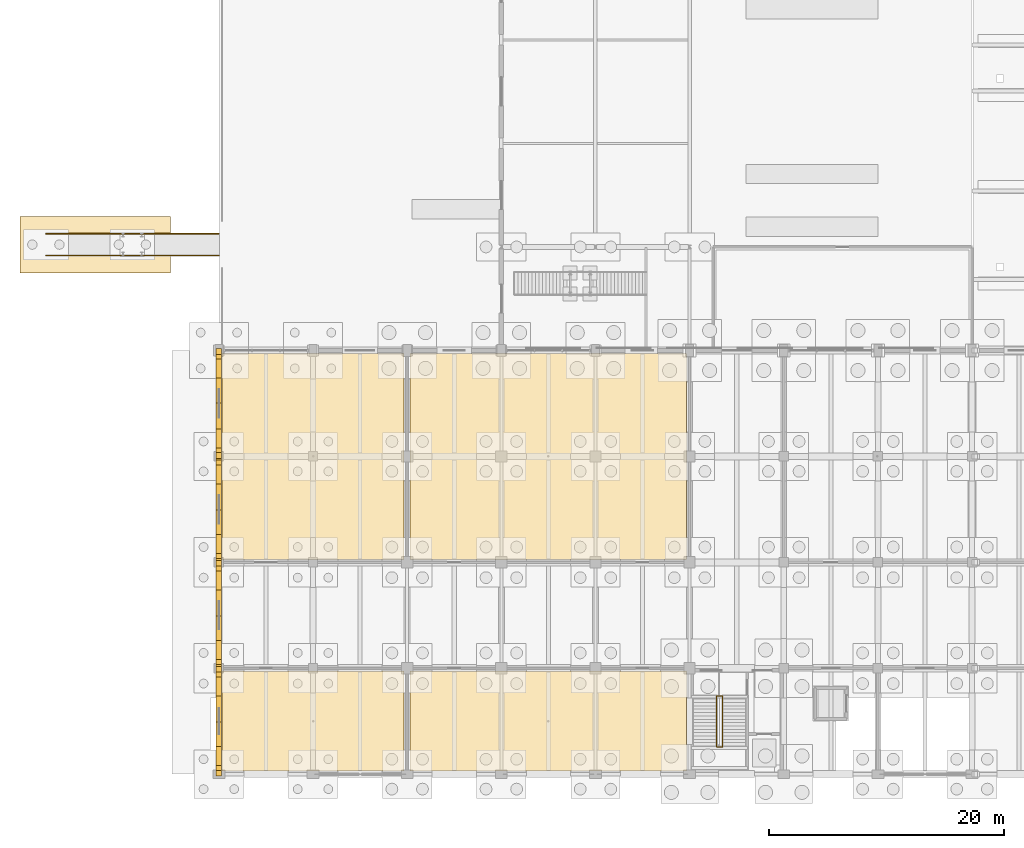
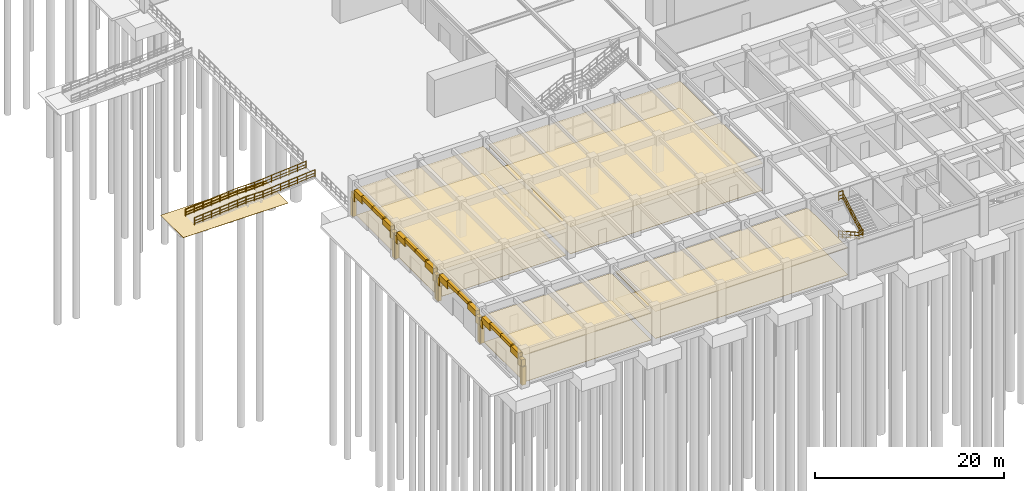
# One storey, part 134 of 147: 41 coverings, 6 railings.
"""IFC4 building model written with IfcOpenShell, lengths in metres."""

import ifcopenshell
import ifcopenshell.guid

model = None  # the IFC model being written
_history = None  # IfcOwnerHistory: only IFC2X3 demands one
_inside = {}  # id of a spatial element -> (the spatial element, [elements in it])
_under = {}  # id of a project, library or spatial element -> (it, [spatial elements below it])
_declared = {}  # id of a project -> (the project, [libraries it declares])
_typed = {}  # id of a type object -> (the type object, [elements of that type])
_made_of = {}  # id of a material, layer set ... -> (it, [elements and type objects made of it])


def new_model(schema):
    """Start an empty IFC model of exactly this schema.

    Asked for "IFC4X3", IfcOpenShell would pick the latest addendum, in which some entities
    have other attributes; the version numbers below select the first issue.
    IFC2X3 requires an IfcOwnerHistory on every rooted entity: one is made here for all.
    """
    global model, _history
    if schema == "IFC4X3":
        model = ifcopenshell.file(schema_version=(4, 3, 0, 0))
    else:
        model = ifcopenshell.file(schema=schema)
    _inside.clear()
    _under.clear()
    _declared.clear()
    _typed.clear()
    _made_of.clear()
    _history = None
    if model.schema == "IFC2X3":
        org = make("IfcOrganization", Name="unknown")
        user = make(
            "IfcPersonAndOrganization",
            ThePerson=make("IfcPerson", FamilyName="unknown"),
            TheOrganization=org,
        )
        app = make(
            "IfcApplication",
            ApplicationDeveloper=org,
            Version="unknown",
            ApplicationFullName="unknown",
            ApplicationIdentifier="unknown",
        )
        _history = make(
            "IfcOwnerHistory",
            OwningUser=user,
            OwningApplication=app,
            ChangeAction="ADDED",
            CreationDate=0,
        )
    return model


def make(cls, **values):
    """One entity of the class cls with the attributes given. An attribute that is None is left unset."""
    return model.create_entity(
        cls, **{name: value for name, value in values.items() if value is not None}
    )


def rooted(cls, **values):
    """An entity with a GlobalId (a new one), such as an element, a storey or a relation."""
    return make(cls, GlobalId=ifcopenshell.guid.new(), OwnerHistory=_history, **values)


def si_unit(unit_type, name, prefix=None):
    """IfcSIUnit, for example si_unit("LENGTHUNIT", "METRE", prefix="MILLI")."""
    return make("IfcSIUnit", UnitType=unit_type, Prefix=prefix, Name=name)


def assignment(units):
    """IfcUnitAssignment: the units of a project."""
    return None if units is None else make("IfcUnitAssignment", Units=units)


def point(xyz):
    """IfcCartesianPoint."""
    return None if xyz is None else make("IfcCartesianPoint", Coordinates=xyz)


def direction(xyz):
    """IfcDirection."""
    return None if xyz is None else make("IfcDirection", DirectionRatios=xyz)


def frame(location, z_axis=None, x_axis=None):
    """IfcAxis2Placement3D, a coordinate frame: its origin and axes. An axis left out is left unset."""
    return make(
        "IfcAxis2Placement3D",
        Location=point(location),
        Axis=direction(z_axis),
        RefDirection=direction(x_axis),
    )


def frame_2d(location, x_axis=None):
    """IfcAxis2Placement2D, a coordinate frame in the plane: its origin and x axis."""
    return make(
        "IfcAxis2Placement2D", Location=point(location), RefDirection=direction(x_axis)
    )


def origin():
    """The frame at (0, 0, 0) with its axes left unset."""
    return frame((0.0, 0.0, 0.0))


def origin_2d():
    """The frame at (0, 0) in the plane with its x axis left unset."""
    return frame_2d((0.0, 0.0))


def place(relative_to, where):
    """IfcLocalPlacement: puts the frame where relative to a parent placement (None: the world)."""
    return make(
        "IfcLocalPlacement", PlacementRelTo=relative_to, RelativePlacement=where
    )


def context(
    kind, dimensions, precision=None, world=None, true_north=None, identifier=None
):
    """IfcGeometricRepresentationContext, for example the 3D "Model" context."""
    return make(
        "IfcGeometricRepresentationContext",
        ContextIdentifier=identifier,
        ContextType=kind,
        CoordinateSpaceDimension=dimensions,
        Precision=precision,
        WorldCoordinateSystem=world,
        TrueNorth=true_north,
    )


def subcontext(parent, identifier, kind, view, scale=None):
    """IfcGeometricRepresentationSubContext, for example "Body" below "Model"."""
    return make(
        "IfcGeometricRepresentationSubContext",
        ContextIdentifier=identifier,
        ContextType=kind,
        ParentContext=parent,
        TargetScale=scale,
        TargetView=view,
    )


def project(units=None, contexts=None):
    """IfcProject with its units and contexts."""
    return rooted(
        "IfcProject",
        Name="project",
        RepresentationContexts=contexts,
        UnitsInContext=assignment(units),
    )


def spatial(cls, under=None, at=None, **own):
    """A site, building, storey or space (cls), placed at a placement, below another one or the project."""
    s = rooted(cls, ObjectPlacement=at, **own)
    if under is not None:
        _under.setdefault(under.id(), (under, []))[1].append(s)
    return s


def polyline(points):
    """IfcPolyline through the points."""
    return make("IfcPolyline", Points=[point(p) for p in points])


def profile(cls, at=None, kind="AREA", **sizes):
    """A parametric profile (cls). Its sizes go by their IFC names, for example OverallWidth=200.0."""
    return make(cls, ProfileType=kind, Position=at, **sizes)


def rectangle(**sizes):
    """IfcRectangleProfileDef."""
    return profile("IfcRectangleProfileDef", **sizes)


def circle(**sizes):
    """IfcCircleProfileDef."""
    return profile("IfcCircleProfileDef", **sizes)


def outline(outer, holes=None, kind="AREA"):
    """IfcArbitraryClosedProfileDef: a profile drawn as a closed curve; with holes, ...WithVoids."""
    if holes is None:
        return make("IfcArbitraryClosedProfileDef", ProfileType=kind, OuterCurve=outer)
    return make(
        "IfcArbitraryProfileDefWithVoids",
        ProfileType=kind,
        OuterCurve=outer,
        InnerCurves=holes,
    )


def extrude(swept, where, along, depth):
    """IfcExtrudedAreaSolid: the profile swept, set in the frame where, extruded along a direction by depth."""
    return make(
        "IfcExtrudedAreaSolid",
        SweptArea=swept,
        Position=where,
        ExtrudedDirection=direction(along),
        Depth=depth,
    )


def shape(context_of_items, identifier, shape_type, items):
    """IfcShapeRepresentation: the items that make up one representation, for example the "Body"."""
    return make(
        "IfcShapeRepresentation",
        ContextOfItems=context_of_items,
        RepresentationIdentifier=identifier,
        RepresentationType=shape_type,
        Items=items,
    )


def material(Name=None, Category=None):
    """IfcMaterial."""
    return make("IfcMaterial", Name=Name, Category=Category)


def layer(
    of_material, thickness, ventilated=None, Name=None, Category=None, Priority=None
):
    """IfcMaterialLayer: one layer of a wall or slab, of a material (None: an air gap)."""
    return make(
        "IfcMaterialLayer",
        Material=of_material,
        LayerThickness=thickness,
        IsVentilated=ventilated,
        Name=Name,
        Category=Category,
        Priority=Priority,
    )


def layer_set(layers, Name=None):
    """IfcMaterialLayerSet."""
    return make("IfcMaterialLayerSet", MaterialLayers=layers, LayerSetName=Name)


def made_of(thing, what):
    """Note that an element or type object is made of a material, layer set ...; save() writes the relation."""
    if what is not None:
        _made_of.setdefault(what.id(), (what, []))[1].append(thing)
    return thing


def type_object(cls, material=None, **own):
    """A type object (cls), such as IfcWallType, which elements share."""
    return made_of(rooted(cls, **own), material)


def element(
    cls,
    number,
    at=None,
    inside=None,
    cuts=None,
    type_object=None,
    material=None,
    context=None,
    identifier="Body",
    shape_type=None,
    held_by="IfcProductDefinitionShape",
    body=None,
    shapes=None,
    **own,
):
    """One element of the class cls, such as IfcWall. Its Tag is "e" and its number.

    at: its placement. inside: the storey or other place that contains it. cuts: it is an
    opening in that element (IfcRelVoidsElement). A single representation is given by context,
    identifier, shape_type and body (its items); several are given by shapes. held_by: the class
    of the entity that holds the representations. save() writes the other relations.
    """
    e = rooted(cls, Tag="e%d" % number, ObjectPlacement=at, **own)
    if body is not None:
        shapes = [shape(context, identifier, shape_type, body)]
    if shapes is not None:
        e.Representation = make(held_by, Representations=shapes)
    if inside is not None:
        _inside.setdefault(inside.id(), (inside, []))[1].append(e)
    if cuts is not None:
        rooted(
            "IfcRelVoidsElement", RelatingBuildingElement=cuts, RelatedOpeningElement=e
        )
    if type_object is not None:
        _typed.setdefault(type_object.id(), (type_object, []))[1].append(e)
    return made_of(e, material)


def aggregate(whole, parts):
    """IfcRelAggregates: a whole, such as a stair, and the parts it consists of."""
    return rooted("IfcRelAggregates", RelatingObject=whole, RelatedObjects=parts)


def save(model, path):
    """Write the relations noted so far, then the file.

    IfcRelAggregates (storeys below a building ...), IfcRelContainedInSpatialStructure (elements
    in a storey), IfcRelDefinesByType, IfcRelAssociatesMaterial and IfcRelDeclares: one each for
    every whole, place, type object, material and project.
    """
    for whole, parts in _under.values():
        aggregate(whole, parts)
    for where, things in _inside.values():
        rooted(
            "IfcRelContainedInSpatialStructure",
            RelatedElements=things,
            RelatingStructure=where,
        )
    for kind, things in _typed.values():
        rooted("IfcRelDefinesByType", RelatedObjects=things, RelatingType=kind)
    for what, things in _made_of.values():
        rooted("IfcRelAssociatesMaterial", RelatedObjects=things, RelatingMaterial=what)
    for by, libraries in _declared.values():
        rooted("IfcRelDeclares", RelatingContext=by, RelatedDefinitions=libraries)
    model.write(path)


model = new_model("IFC4")

# Units and contexts
model_context = context("Model", 3, precision=1e-05, world=origin(), true_north=direction((0.0, 1.0)))
body_context = subcontext(model_context, "Body", "Model", "MODEL_VIEW")
ifc_project = project(units=[si_unit("LENGTHUNIT", "METRE"), si_unit("AREAUNIT", "SQUARE_METRE"), si_unit("VOLUMEUNIT", "CUBIC_METRE"), si_unit("PLANEANGLEUNIT", "RADIAN"), si_unit("MASSUNIT", "GRAM", prefix="KILO")], contexts=[model_context])

# Site, building, storey
site_placement = place(None, origin())
site = spatial("IfcSite", under=ifc_project, at=site_placement, CompositionType="ELEMENT")
building_placement = place(site_placement, origin())
building = spatial("IfcBuilding", under=site, at=building_placement, Name="Varnabhumi Central Station", CompositionType="ELEMENT")
storey_placement = place(building_placement, origin())
storey = spatial("IfcBuildingStorey", under=building, at=storey_placement, Name="L00", CompositionType="ELEMENT", Elevation=0.0)

# Coverings
ifc_material_1 = material(Name="Mineral-fibre acoustic tile")
ifc_layer_1 = layer(ifc_material_1, 0.02490234375, Name="Mineral-fibre acoustic tile")
ifc_layer_set_1 = layer_set([ifc_layer_1], Name="Mineral-fibre acoustic tile")
covering_type_1 = type_object("IfcCoveringType", Name="COV-CEIL-ACOUSTIC", PredefinedType="CEILING", material=ifc_layer_set_1)
covering_1_placement = place(storey_placement, frame((0.0, 0.0, 3.469970703125)))
element("IfcCovering", 1, at=covering_1_placement, inside=storey, type_object=covering_type_1, Name="Forecourt Taxi and Bus Waiting Arcade Acoustic Ceiling", PredefinedType="CEILING", context=body_context, shape_type="SweptSolid", body=[
    extrude(outline(polyline([(0.25, 18.25), (15.75, 18.25), (15.75, 35.75), (0.25, 35.75), (0.25, 18.25)])), origin(), (0.0, 0.0, 1.0), 0.025146484375),
])
covering_2_placement = place(storey_placement, frame((0.0, 0.0, 3.469970703125)))
element("IfcCovering", 2, at=covering_2_placement, inside=storey, type_object=covering_type_1, Name="Railway Tourist Assistance and Security Desk Acoustic Ceiling", PredefinedType="CEILING", context=body_context, shape_type="SweptSolid", body=[
    extrude(outline(polyline([(0.25, 0.25), (15.75, 0.25), (15.75, 8.75), (0.25, 8.75), (0.25, 0.25)])), origin(), (0.0, 0.0, 1.0), 0.025146484375),
])
covering_3_placement = place(storey_placement, frame((0.0, 0.0, 3.469970703125)))
element("IfcCovering", 3, at=covering_3_placement, inside=storey, type_object=covering_type_1, Name="Parcel Booking and Weighment Office Acoustic Ceiling", PredefinedType="CEILING", context=body_context, shape_type="SweptSolid", body=[
    extrude(outline(polyline([(16.25, 18.25), (39.75, 18.25), (39.75, 35.75), (16.25, 35.75), (16.25, 18.25)])), origin(), (0.0, 0.0, 1.0), 0.025146484375),
])
covering_4_placement = place(storey_placement, frame((0.0, 0.0, 3.469970703125)))
element("IfcCovering", 4, at=covering_4_placement, inside=storey, type_object=covering_type_1, Name="Railway Protection Force Security Post Acoustic Ceiling", PredefinedType="CEILING", context=body_context, shape_type="SweptSolid", body=[
    extrude(outline(polyline([(16.25, 0.25), (39.75, 0.25), (39.75, 8.75), (16.25, 8.75), (16.25, 0.25)])), origin(), (0.0, 0.0, 1.0), 0.025146484375),
])
ifc_material_2 = material(Name="Vitrified granite stone flooring", Category="masonry")
ifc_layer_2 = layer(ifc_material_2, 0.030029296875, Name="Vitrified granite stone flooring", Category="masonry")
ifc_layer_set_2 = layer_set([ifc_layer_2], Name="Vitrified granite stone flooring")
covering_type_2 = type_object("IfcCoveringType", Name="COV-FLOR-GRANITE", PredefinedType="FLOORING", material=ifc_layer_set_2)
covering_5_placement = place(storey_placement, frame((0.0, 0.0, -1.0849609375)))
element("IfcCovering", 5, at=covering_5_placement, inside=storey, type_object=covering_type_2, Name="Street Forecourt Granite Plaza Apron RMP-FC-S", PredefinedType="FLOORING", context=body_context, shape_type="SweptSolid", body=[
    extrude(outline(polyline([(-16.89990234375, 42.60009765625), (-4.10009765625, 42.60009765625), (-4.10009765625, 47.39990234375), (-16.89990234375, 47.39990234375), (-16.89990234375, 42.60009765625)])), origin(), (0.0, 0.0, 1.0), 0.034912109375),
])
covering_6_placement = place(storey_placement, origin())
element("IfcCovering", 6, at=covering_6_placement, inside=storey, type_object=covering_type_2, Name="Forecourt Taxi and Bus Waiting Arcade Granite Flooring", PredefinedType="FLOORING", context=body_context, shape_type="SweptSolid", body=[
    extrude(outline(polyline([(0.25, 18.25), (15.75, 18.25), (15.75, 35.75), (0.25, 35.75), (0.25, 18.25)])), origin(), (0.0, 0.0, 1.0), 0.030029296875),
])
covering_7_placement = place(storey_placement, origin())
element("IfcCovering", 7, at=covering_7_placement, inside=storey, type_object=covering_type_2, Name="Railway Tourist Assistance and Security Desk Granite Flooring", PredefinedType="FLOORING", context=body_context, shape_type="SweptSolid", body=[
    extrude(outline(polyline([(0.25, 0.25), (15.75, 0.25), (15.75, 8.75), (0.25, 8.75), (0.25, 0.25)])), origin(), (0.0, 0.0, 1.0), 0.030029296875),
])
covering_8_placement = place(storey_placement, origin())
element("IfcCovering", 8, at=covering_8_placement, inside=storey, type_object=covering_type_2, Name="Parcel Booking and Weighment Office Granite Flooring", PredefinedType="FLOORING", context=body_context, shape_type="SweptSolid", body=[
    extrude(outline(polyline([(16.25, 18.25), (39.75, 18.25), (39.75, 35.75), (16.25, 35.75), (16.25, 18.25)])), origin(), (0.0, 0.0, 1.0), 0.030029296875),
])
covering_9_placement = place(storey_placement, origin())
element("IfcCovering", 9, at=covering_9_placement, inside=storey, type_object=covering_type_2, Name="Railway Protection Force Security Post Granite Flooring", PredefinedType="FLOORING", context=body_context, shape_type="SweptSolid", body=[
    extrude(outline(polyline([(16.25, 0.25), (39.75, 0.25), (39.75, 8.75), (16.25, 8.75), (16.25, 0.25)])), origin(), (0.0, 0.0, 1.0), 0.030029296875),
])
ifc_material_3 = material(Name="Terracotta clay Mission barrel tile", Category="masonry")
ifc_layer_3 = layer(ifc_material_3, 0.02001953125, Name="Terracotta clay Mission barrel tile", Category="masonry")
ifc_layer_set_3 = layer_set([ifc_layer_3], Name="Terracotta clay Mission barrel tile")
covering_type_3 = type_object("IfcCoveringType", Name="COV-WALL-FAIENCE", PredefinedType="CLADDING", material=ifc_layer_set_3)
covering_10_placement = place(storey_placement, frame((0.0, 0.3759765625, 2.159912109375), z_axis=(0.0, 0.0, 1.0), x_axis=(0.0, 1.0, 0.0)))
element("IfcCovering", 10, at=covering_10_placement, inside=storey, type_object=covering_type_3, Name="Forecourt East Colonnade Arch 1 Stone Voussoir 1", PredefinedType="CLADDING", context=body_context, shape_type="SweptSolid", body=[
    extrude(rectangle(XDim=0.7119140625, YDim=0.47998046875, at=origin_2d()), origin(), (0.0, 0.0, 1.0), 0.97998046875),
])
covering_11_placement = place(storey_placement, frame((0.0, 1.48095703125, 2.860107421875), z_axis=(0.0, 0.0, 1.0), x_axis=(0.0, 1.0, 0.0)))
element("IfcCovering", 11, at=covering_11_placement, inside=storey, type_object=covering_type_3, Name="Forecourt East Colonnade Arch 1 Stone Voussoir 2", PredefinedType="CLADDING", context=body_context, shape_type="SweptSolid", body=[
    extrude(rectangle(XDim=1.738037109375, YDim=0.47998046875, at=origin_2d()), origin(), (0.0, 0.0, 1.0), 0.7919921875),
])
for number, where, z_axis, x_axis, name in (
    (12, (0.0, 3.39501953125, 3.3720703125), (0.0, 0.0, 1.0), (0.0, 1.0, 0.0), "Forecourt East Colonnade Arch 1 Stone Voussoir 3"),
    (13, (0.0, 5.60498046875, 3.3720703125), (0.0, 0.0, 1.0), (0.0, 1.0, 0.0), "Forecourt East Colonnade Arch 1 Stone Voussoir 4"),
):
    element("IfcCovering", number, at=place(storey_placement, frame(where, z_axis=z_axis, x_axis=x_axis)), inside=storey, type_object=covering_type_3, Name=name, PredefinedType="CLADDING", context=body_context, shape_type="SweptSolid", body=[
        extrude(rectangle(XDim=2.330078125, YDim=0.47998046875, at=origin_2d()), origin(), (0.0, 0.0, 1.0), 0.468017578125),
    ])
covering_12_placement = place(storey_placement, frame((0.0, 7.51904296875, 2.860107421875), z_axis=(0.0, 0.0, 1.0), x_axis=(0.0, 1.0, 0.0)))
element("IfcCovering", 14, at=covering_12_placement, inside=storey, type_object=covering_type_3, Name="Forecourt East Colonnade Arch 1 Stone Voussoir 5", PredefinedType="CLADDING", context=body_context, shape_type="SweptSolid", body=[
    extrude(rectangle(XDim=1.738037109375, YDim=0.47998046875, at=origin_2d()), origin(), (0.0, 0.0, 1.0), 0.7919921875),
])
covering_13_placement = place(storey_placement, frame((0.0, 8.6240234375, 2.159912109375), z_axis=(0.0, 0.0, 1.0), x_axis=(0.0, 1.0, 0.0)))
element("IfcCovering", 15, at=covering_13_placement, inside=storey, type_object=covering_type_3, Name="Forecourt East Colonnade Arch 1 Stone Voussoir 6", PredefinedType="CLADDING", context=body_context, shape_type="SweptSolid", body=[
    extrude(rectangle(XDim=0.7119140625, YDim=0.47998046875, at=origin_2d()), origin(), (0.0, 0.0, 1.0), 0.97998046875),
])
for number, where, z_axis, x_axis, name in (
    (16, (0.0, 0.080078125, -0.02001953125), (0.0, 0.0, 1.0), (1.0, 0.0, 0.0), "Forecourt East Colonnade Arch 1 Classical Pilaster 1"),
    (17, (0.0, 8.919921875, -0.02001953125), (0.0, 0.0, 1.0), (1.0, 0.0, 0.0), "Forecourt East Colonnade Arch 1 Classical Pilaster 2"),
):
    element("IfcCovering", number, at=place(storey_placement, frame(where, z_axis=z_axis, x_axis=x_axis)), inside=storey, type_object=covering_type_3, Name=name, PredefinedType="CLADDING", context=body_context, shape_type="SweptSolid", body=[
        extrude(rectangle(XDim=0.47998046875, YDim=0.47998046875, at=origin_2d()), origin(), (0.0, 0.0, 1.0), 2.340087890625),
    ])
covering_14_placement = place(storey_placement, frame((0.0, 9.3759765625, 2.159912109375), z_axis=(0.0, 0.0, 1.0), x_axis=(0.0, 1.0, 0.0)))
element("IfcCovering", 18, at=covering_14_placement, inside=storey, type_object=covering_type_3, Name="Forecourt East Colonnade Arch 2 Stone Voussoir 1", PredefinedType="CLADDING", context=body_context, shape_type="SweptSolid", body=[
    extrude(rectangle(XDim=0.7119140625, YDim=0.47998046875, at=origin_2d()), origin(), (0.0, 0.0, 1.0), 0.97998046875),
])
covering_15_placement = place(storey_placement, frame((0.0, 10.48095703125, 2.860107421875), z_axis=(0.0, 0.0, 1.0), x_axis=(0.0, 1.0, 0.0)))
element("IfcCovering", 19, at=covering_15_placement, inside=storey, type_object=covering_type_3, Name="Forecourt East Colonnade Arch 2 Stone Voussoir 2", PredefinedType="CLADDING", context=body_context, shape_type="SweptSolid", body=[
    extrude(rectangle(XDim=1.738037109375, YDim=0.47998046875, at=origin_2d()), origin(), (0.0, 0.0, 1.0), 0.7919921875),
])
for number, where, z_axis, x_axis, name in (
    (20, (0.0, 12.39501953125, 3.3720703125), (0.0, 0.0, 1.0), (0.0, 1.0, 0.0), "Forecourt East Colonnade Arch 2 Stone Voussoir 3"),
    (21, (0.0, 14.60498046875, 3.3720703125), (0.0, 0.0, 1.0), (0.0, 1.0, 0.0), "Forecourt East Colonnade Arch 2 Stone Voussoir 4"),
):
    element("IfcCovering", number, at=place(storey_placement, frame(where, z_axis=z_axis, x_axis=x_axis)), inside=storey, type_object=covering_type_3, Name=name, PredefinedType="CLADDING", context=body_context, shape_type="SweptSolid", body=[
        extrude(rectangle(XDim=2.330078125, YDim=0.47998046875, at=origin_2d()), origin(), (0.0, 0.0, 1.0), 0.468017578125),
    ])
covering_16_placement = place(storey_placement, frame((0.0, 16.51904296875, 2.860107421875), z_axis=(0.0, 0.0, 1.0), x_axis=(0.0, 1.0, 0.0)))
element("IfcCovering", 22, at=covering_16_placement, inside=storey, type_object=covering_type_3, Name="Forecourt East Colonnade Arch 2 Stone Voussoir 5", PredefinedType="CLADDING", context=body_context, shape_type="SweptSolid", body=[
    extrude(rectangle(XDim=1.738037109375, YDim=0.47998046875, at=origin_2d()), origin(), (0.0, 0.0, 1.0), 0.7919921875),
])
covering_17_placement = place(storey_placement, frame((0.0, 17.6240234375, 2.159912109375), z_axis=(0.0, 0.0, 1.0), x_axis=(0.0, 1.0, 0.0)))
element("IfcCovering", 23, at=covering_17_placement, inside=storey, type_object=covering_type_3, Name="Forecourt East Colonnade Arch 2 Stone Voussoir 6", PredefinedType="CLADDING", context=body_context, shape_type="SweptSolid", body=[
    extrude(rectangle(XDim=0.7119140625, YDim=0.47998046875, at=origin_2d()), origin(), (0.0, 0.0, 1.0), 0.97998046875),
])
for number, where, z_axis, x_axis, name in (
    (24, (0.0, 9.080078125, -0.02001953125), (0.0, 0.0, 1.0), (1.0, 0.0, 0.0), "Forecourt East Colonnade Arch 2 Classical Pilaster 1"),
    (25, (0.0, 17.919921875, -0.02001953125), (0.0, 0.0, 1.0), (1.0, 0.0, 0.0), "Forecourt East Colonnade Arch 2 Classical Pilaster 2"),
):
    element("IfcCovering", number, at=place(storey_placement, frame(where, z_axis=z_axis, x_axis=x_axis)), inside=storey, type_object=covering_type_3, Name=name, PredefinedType="CLADDING", context=body_context, shape_type="SweptSolid", body=[
        extrude(rectangle(XDim=0.47998046875, YDim=0.47998046875, at=origin_2d()), origin(), (0.0, 0.0, 1.0), 2.340087890625),
    ])
covering_18_placement = place(storey_placement, frame((0.0, 18.3759765625, 2.159912109375), z_axis=(0.0, 0.0, 1.0), x_axis=(0.0, 1.0, 0.0)))
element("IfcCovering", 26, at=covering_18_placement, inside=storey, type_object=covering_type_3, Name="Forecourt East Colonnade Arch 3 Stone Voussoir 1", PredefinedType="CLADDING", context=body_context, shape_type="SweptSolid", body=[
    extrude(rectangle(XDim=0.7119140625, YDim=0.47998046875, at=origin_2d()), origin(), (0.0, 0.0, 1.0), 0.97998046875),
])
covering_19_placement = place(storey_placement, frame((0.0, 19.48095703125, 2.860107421875), z_axis=(0.0, 0.0, 1.0), x_axis=(0.0, 1.0, 0.0)))
element("IfcCovering", 27, at=covering_19_placement, inside=storey, type_object=covering_type_3, Name="Forecourt East Colonnade Arch 3 Stone Voussoir 2", PredefinedType="CLADDING", context=body_context, shape_type="SweptSolid", body=[
    extrude(rectangle(XDim=1.738037109375, YDim=0.47998046875, at=origin_2d()), origin(), (0.0, 0.0, 1.0), 0.7919921875),
])
for number, where, z_axis, x_axis, name in (
    (28, (0.0, 21.39501953125, 3.3720703125), (0.0, 0.0, 1.0), (0.0, 1.0, 0.0), "Forecourt East Colonnade Arch 3 Stone Voussoir 3"),
    (29, (0.0, 23.60498046875, 3.3720703125), (0.0, 0.0, 1.0), (0.0, 1.0, 0.0), "Forecourt East Colonnade Arch 3 Stone Voussoir 4"),
):
    element("IfcCovering", number, at=place(storey_placement, frame(where, z_axis=z_axis, x_axis=x_axis)), inside=storey, type_object=covering_type_3, Name=name, PredefinedType="CLADDING", context=body_context, shape_type="SweptSolid", body=[
        extrude(rectangle(XDim=2.330078125, YDim=0.47998046875, at=origin_2d()), origin(), (0.0, 0.0, 1.0), 0.468017578125),
    ])
covering_20_placement = place(storey_placement, frame((0.0, 25.51904296875, 2.860107421875), z_axis=(0.0, 0.0, 1.0), x_axis=(0.0, 1.0, 0.0)))
element("IfcCovering", 30, at=covering_20_placement, inside=storey, type_object=covering_type_3, Name="Forecourt East Colonnade Arch 3 Stone Voussoir 5", PredefinedType="CLADDING", context=body_context, shape_type="SweptSolid", body=[
    extrude(rectangle(XDim=1.738037109375, YDim=0.47998046875, at=origin_2d()), origin(), (0.0, 0.0, 1.0), 0.7919921875),
])
covering_21_placement = place(storey_placement, frame((0.0, 26.6240234375, 2.159912109375), z_axis=(0.0, 0.0, 1.0), x_axis=(0.0, 1.0, 0.0)))
element("IfcCovering", 31, at=covering_21_placement, inside=storey, type_object=covering_type_3, Name="Forecourt East Colonnade Arch 3 Stone Voussoir 6", PredefinedType="CLADDING", context=body_context, shape_type="SweptSolid", body=[
    extrude(rectangle(XDim=0.7119140625, YDim=0.47998046875, at=origin_2d()), origin(), (0.0, 0.0, 1.0), 0.97998046875),
])
for number, where, z_axis, x_axis, name in (
    (32, (0.0, 18.080078125, -0.02001953125), (0.0, 0.0, 1.0), (1.0, 0.0, 0.0), "Forecourt East Colonnade Arch 3 Classical Pilaster 1"),
    (33, (0.0, 26.919921875, -0.02001953125), (0.0, 0.0, 1.0), (1.0, 0.0, 0.0), "Forecourt East Colonnade Arch 3 Classical Pilaster 2"),
):
    element("IfcCovering", number, at=place(storey_placement, frame(where, z_axis=z_axis, x_axis=x_axis)), inside=storey, type_object=covering_type_3, Name=name, PredefinedType="CLADDING", context=body_context, shape_type="SweptSolid", body=[
        extrude(rectangle(XDim=0.47998046875, YDim=0.47998046875, at=origin_2d()), origin(), (0.0, 0.0, 1.0), 2.340087890625),
    ])
covering_22_placement = place(storey_placement, frame((0.0, 27.3759765625, 2.159912109375), z_axis=(0.0, 0.0, 1.0), x_axis=(0.0, 1.0, 0.0)))
element("IfcCovering", 34, at=covering_22_placement, inside=storey, type_object=covering_type_3, Name="Forecourt East Colonnade Arch 4 Stone Voussoir 1", PredefinedType="CLADDING", context=body_context, shape_type="SweptSolid", body=[
    extrude(rectangle(XDim=0.7119140625, YDim=0.47998046875, at=origin_2d()), origin(), (0.0, 0.0, 1.0), 0.97998046875),
])
covering_23_placement = place(storey_placement, frame((0.0, 28.48095703125, 2.860107421875), z_axis=(0.0, 0.0, 1.0), x_axis=(0.0, 1.0, 0.0)))
element("IfcCovering", 35, at=covering_23_placement, inside=storey, type_object=covering_type_3, Name="Forecourt East Colonnade Arch 4 Stone Voussoir 2", PredefinedType="CLADDING", context=body_context, shape_type="SweptSolid", body=[
    extrude(rectangle(XDim=1.738037109375, YDim=0.47998046875, at=origin_2d()), origin(), (0.0, 0.0, 1.0), 0.7919921875),
])
for number, where, z_axis, x_axis, name in (
    (36, (0.0, 30.39501953125, 3.3720703125), (0.0, 0.0, 1.0), (0.0, 1.0, 0.0), "Forecourt East Colonnade Arch 4 Stone Voussoir 3"),
    (37, (0.0, 32.60498046875, 3.3720703125), (0.0, 0.0, 1.0), (0.0, 1.0, 0.0), "Forecourt East Colonnade Arch 4 Stone Voussoir 4"),
):
    element("IfcCovering", number, at=place(storey_placement, frame(where, z_axis=z_axis, x_axis=x_axis)), inside=storey, type_object=covering_type_3, Name=name, PredefinedType="CLADDING", context=body_context, shape_type="SweptSolid", body=[
        extrude(rectangle(XDim=2.330078125, YDim=0.47998046875, at=origin_2d()), origin(), (0.0, 0.0, 1.0), 0.468017578125),
    ])
covering_24_placement = place(storey_placement, frame((0.0, 34.51904296875, 2.860107421875), z_axis=(0.0, 0.0, 1.0), x_axis=(0.0, 1.0, 0.0)))
element("IfcCovering", 38, at=covering_24_placement, inside=storey, type_object=covering_type_3, Name="Forecourt East Colonnade Arch 4 Stone Voussoir 5", PredefinedType="CLADDING", context=body_context, shape_type="SweptSolid", body=[
    extrude(rectangle(XDim=1.738037109375, YDim=0.47998046875, at=origin_2d()), origin(), (0.0, 0.0, 1.0), 0.7919921875),
])
covering_25_placement = place(storey_placement, frame((0.0, 35.6240234375, 2.159912109375), z_axis=(0.0, 0.0, 1.0), x_axis=(0.0, 1.0, 0.0)))
element("IfcCovering", 39, at=covering_25_placement, inside=storey, type_object=covering_type_3, Name="Forecourt East Colonnade Arch 4 Stone Voussoir 6", PredefinedType="CLADDING", context=body_context, shape_type="SweptSolid", body=[
    extrude(rectangle(XDim=0.7119140625, YDim=0.47998046875, at=origin_2d()), origin(), (0.0, 0.0, 1.0), 0.97998046875),
])
for number, where, z_axis, x_axis, name in (
    (40, (0.0, 27.080078125, -0.02001953125), (0.0, 0.0, 1.0), (1.0, 0.0, 0.0), "Forecourt East Colonnade Arch 4 Classical Pilaster 1"),
    (41, (0.0, 35.919921875, -0.02001953125), (0.0, 0.0, 1.0), (1.0, 0.0, 0.0), "Forecourt East Colonnade Arch 4 Classical Pilaster 2"),
):
    element("IfcCovering", number, at=place(storey_placement, frame(where, z_axis=z_axis, x_axis=x_axis)), inside=storey, type_object=covering_type_3, Name=name, PredefinedType="CLADDING", context=body_context, shape_type="SweptSolid", body=[
        extrude(rectangle(XDim=0.47998046875, YDim=0.47998046875, at=origin_2d()), origin(), (0.0, 0.0, 1.0), 2.340087890625),
    ])

# Railings
ifc_material_4 = material(Name="Stainless steel Grade 316", Category="steel")
railing_type_1 = type_object("IfcRailingType", Name="RAIL-RAMP-920", PredefinedType="HANDRAIL", material=ifc_material_4)
railing_1_placement = place(storey_placement, frame((-14.699951171875, 45.919921875, -1.050048828125)))
element("IfcRailing", 42, at=railing_1_placement, inside=storey, type_object=railing_type_1, Name="RMP-FC-S Handrail L", PredefinedType="HANDRAIL", context=body_context, shape_type="SweptSolid", body=[
    extrude(circle(Radius=0.02392578125, at=origin_2d()), frame((0.0, 0.0, 0.89599609375), z_axis=(0.996543893665, 0.0, 0.083067851783), x_axis=(0.0, 1.0, 0.0)), (0.0, 0.0, 1.0), 6.32177734375),
    extrude(circle(Radius=0.01416015625, at=origin_2d()), frame((0.0, 0.0, 0.478271484375), z_axis=(0.996543893665, 0.0, 0.083067851783), x_axis=(0.0, 1.0, 0.0)), (0.0, 0.0, 1.0), 6.32177734375),
    extrude(circle(Radius=0.01416015625, at=origin_2d()), frame((0.0, 0.0, 0.147216796875), z_axis=(0.996543893665, 0.0, 0.083067851783), x_axis=(0.0, 1.0, 0.0)), (0.0, 0.0, 1.0), 6.32177734375),
    extrude(circle(Radius=0.02392578125, at=origin_2d()), frame((6.300048828125, 0.0, 1.4208984375), z_axis=(1.0, 0.0, 0.0), x_axis=(0.0, 1.0, 0.0)), (0.0, 0.0, 1.0), 2.099853515625),
    extrude(circle(Radius=0.01416015625, at=origin_2d()), frame((6.300048828125, 0.0, 1.00341796875), z_axis=(1.0, 0.0, 0.0), x_axis=(0.0, 1.0, 0.0)), (0.0, 0.0, 1.0), 2.099853515625),
    extrude(circle(Radius=0.01416015625, at=origin_2d()), frame((6.300048828125, 0.0, 0.67236328125), z_axis=(1.0, 0.0, 0.0), x_axis=(0.0, 1.0, 0.0)), (0.0, 0.0, 1.0), 2.099853515625),
    extrude(circle(Radius=0.02392578125, at=origin_2d()), frame((8.39990234375, 0.0, 1.4208984375), z_axis=(0.996547089785, 0.0, 0.083029499827), x_axis=(0.0, 1.0, 0.0)), (0.0, 0.0, 1.0), 6.32177734375),
    extrude(circle(Radius=0.01416015625, at=origin_2d()), frame((8.39990234375, 0.0, 1.00341796875), z_axis=(0.996547089785, 0.0, 0.083029499827), x_axis=(0.0, 1.0, 0.0)), (0.0, 0.0, 1.0), 6.32177734375),
    extrude(circle(Radius=0.01416015625, at=origin_2d()), frame((8.39990234375, 0.0, 0.67236328125), z_axis=(0.996547089785, 0.0, 0.083029499827), x_axis=(0.0, 1.0, 0.0)), (0.0, 0.0, 1.0), 6.32177734375),
    extrude(circle(Radius=0.02099609375, at=origin_2d()), origin(), (0.0, 0.0, 1.0), 0.871826171875),
    extrude(circle(Radius=0.02099609375, at=origin_2d()), frame((1.050048828125, 0.0, 0.08740234375)), (0.0, 0.0, 1.0), 0.871826171875),
    extrude(circle(Radius=0.02099609375, at=origin_2d()), frame((2.10009765625, 0.0, 0.175048828125)), (0.0, 0.0, 1.0), 0.871826171875),
    extrude(circle(Radius=0.02099609375, at=origin_2d()), frame((3.14990234375, 0.0, 0.2626953125)), (0.0, 0.0, 1.0), 0.871826171875),
    extrude(circle(Radius=0.02099609375, at=origin_2d()), frame((4.199951171875, 0.0, 0.35009765625)), (0.0, 0.0, 1.0), 0.871826171875),
    extrude(circle(Radius=0.02099609375, at=origin_2d()), frame((5.25, 0.0, 0.4375)), (0.0, 0.0, 1.0), 0.871826171875),
    extrude(circle(Radius=0.02099609375, at=origin_2d()), frame((6.300048828125, 0.0, 0.525146484375)), (0.0, 0.0, 1.0), 0.871826171875),
    extrude(circle(Radius=0.02099609375, at=origin_2d()), frame((7.35009765625, 0.0, 0.525146484375)), (0.0, 0.0, 1.0), 0.871826171875),
    extrude(circle(Radius=0.02099609375, at=origin_2d()), frame((8.39990234375, 0.0, 0.525146484375)), (0.0, 0.0, 1.0), 0.871826171875),
    extrude(circle(Radius=0.02099609375, at=origin_2d()), frame((9.449951171875, 0.0, 0.612548828125)), (0.0, 0.0, 1.0), 0.871826171875),
    extrude(circle(Radius=0.02099609375, at=origin_2d()), frame((10.5, 0.0, 0.7001953125)), (0.0, 0.0, 1.0), 0.871826171875),
    extrude(circle(Radius=0.02099609375, at=origin_2d()), frame((11.5498046875, 0.0, 0.78759765625)), (0.0, 0.0, 1.0), 0.871826171875),
    extrude(circle(Radius=0.02099609375, at=origin_2d()), frame((12.599853515625, 0.0, 0.875)), (0.0, 0.0, 1.0), 0.871826171875),
    extrude(circle(Radius=0.02099609375, at=origin_2d()), frame((13.64990234375, 0.0, 0.962646484375)), (0.0, 0.0, 1.0), 0.871826171875),
    extrude(circle(Radius=0.02099609375, at=origin_2d()), frame((14.699951171875, 0.0, 1.050048828125)), (0.0, 0.0, 1.0), 0.871826171875),
])
railing_2_placement = place(storey_placement, frame((-14.699951171875, 44.080078125, -1.050048828125)))
element("IfcRailing", 43, at=railing_2_placement, inside=storey, type_object=railing_type_1, Name="RMP-FC-S Handrail R", PredefinedType="HANDRAIL", context=body_context, shape_type="SweptSolid", body=[
    extrude(circle(Radius=0.02392578125, at=origin_2d()), frame((0.0, 0.0, 0.89599609375), z_axis=(0.996543893665, 0.0, 0.083067851783), x_axis=(0.0, 1.0, 0.0)), (0.0, 0.0, 1.0), 6.32177734375),
    extrude(circle(Radius=0.01416015625, at=origin_2d()), frame((0.0, 0.0, 0.478271484375), z_axis=(0.996543893665, 0.0, 0.083067851783), x_axis=(0.0, 1.0, 0.0)), (0.0, 0.0, 1.0), 6.32177734375),
    extrude(circle(Radius=0.01416015625, at=origin_2d()), frame((0.0, 0.0, 0.147216796875), z_axis=(0.996543893665, 0.0, 0.083067851783), x_axis=(0.0, 1.0, 0.0)), (0.0, 0.0, 1.0), 6.32177734375),
    extrude(circle(Radius=0.02392578125, at=origin_2d()), frame((6.300048828125, 0.0, 1.4208984375), z_axis=(1.0, 0.0, 0.0), x_axis=(0.0, 1.0, 0.0)), (0.0, 0.0, 1.0), 2.099853515625),
    extrude(circle(Radius=0.01416015625, at=origin_2d()), frame((6.300048828125, 0.0, 1.00341796875), z_axis=(1.0, 0.0, 0.0), x_axis=(0.0, 1.0, 0.0)), (0.0, 0.0, 1.0), 2.099853515625),
    extrude(circle(Radius=0.01416015625, at=origin_2d()), frame((6.300048828125, 0.0, 0.67236328125), z_axis=(1.0, 0.0, 0.0), x_axis=(0.0, 1.0, 0.0)), (0.0, 0.0, 1.0), 2.099853515625),
    extrude(circle(Radius=0.02392578125, at=origin_2d()), frame((8.39990234375, 0.0, 1.4208984375), z_axis=(0.996547089785, 0.0, 0.083029499827), x_axis=(0.0, 1.0, 0.0)), (0.0, 0.0, 1.0), 6.32177734375),
    extrude(circle(Radius=0.01416015625, at=origin_2d()), frame((8.39990234375, 0.0, 1.00341796875), z_axis=(0.996547089785, 0.0, 0.083029499827), x_axis=(0.0, 1.0, 0.0)), (0.0, 0.0, 1.0), 6.32177734375),
    extrude(circle(Radius=0.01416015625, at=origin_2d()), frame((8.39990234375, 0.0, 0.67236328125), z_axis=(0.996547089785, 0.0, 0.083029499827), x_axis=(0.0, 1.0, 0.0)), (0.0, 0.0, 1.0), 6.32177734375),
    extrude(circle(Radius=0.02099609375, at=origin_2d()), origin(), (0.0, 0.0, 1.0), 0.871826171875),
    extrude(circle(Radius=0.02099609375, at=origin_2d()), frame((1.050048828125, 0.0, 0.08740234375)), (0.0, 0.0, 1.0), 0.871826171875),
    extrude(circle(Radius=0.02099609375, at=origin_2d()), frame((2.10009765625, 0.0, 0.175048828125)), (0.0, 0.0, 1.0), 0.871826171875),
    extrude(circle(Radius=0.02099609375, at=origin_2d()), frame((3.14990234375, 0.0, 0.2626953125)), (0.0, 0.0, 1.0), 0.871826171875),
    extrude(circle(Radius=0.02099609375, at=origin_2d()), frame((4.199951171875, 0.0, 0.35009765625)), (0.0, 0.0, 1.0), 0.871826171875),
    extrude(circle(Radius=0.02099609375, at=origin_2d()), frame((5.25, 0.0, 0.4375)), (0.0, 0.0, 1.0), 0.871826171875),
    extrude(circle(Radius=0.02099609375, at=origin_2d()), frame((6.300048828125, 0.0, 0.525146484375)), (0.0, 0.0, 1.0), 0.871826171875),
    extrude(circle(Radius=0.02099609375, at=origin_2d()), frame((7.35009765625, 0.0, 0.525146484375)), (0.0, 0.0, 1.0), 0.871826171875),
    extrude(circle(Radius=0.02099609375, at=origin_2d()), frame((8.39990234375, 0.0, 0.525146484375)), (0.0, 0.0, 1.0), 0.871826171875),
    extrude(circle(Radius=0.02099609375, at=origin_2d()), frame((9.449951171875, 0.0, 0.612548828125)), (0.0, 0.0, 1.0), 0.871826171875),
    extrude(circle(Radius=0.02099609375, at=origin_2d()), frame((10.5, 0.0, 0.7001953125)), (0.0, 0.0, 1.0), 0.871826171875),
    extrude(circle(Radius=0.02099609375, at=origin_2d()), frame((11.5498046875, 0.0, 0.78759765625)), (0.0, 0.0, 1.0), 0.871826171875),
    extrude(circle(Radius=0.02099609375, at=origin_2d()), frame((12.599853515625, 0.0, 0.875)), (0.0, 0.0, 1.0), 0.871826171875),
    extrude(circle(Radius=0.02099609375, at=origin_2d()), frame((13.64990234375, 0.0, 0.962646484375)), (0.0, 0.0, 1.0), 0.871826171875),
    extrude(circle(Radius=0.02099609375, at=origin_2d()), frame((14.699951171875, 0.0, 1.050048828125)), (0.0, 0.0, 1.0), 0.871826171875),
])
railing_type_2 = type_object("IfcRailingType", Name="RAIL-STAIR-GRD-1150", PredefinedType="GUARDRAIL", material=ifc_material_4)
for number, where, name in (
    (44, (42.300048828125, 2.324951171875, 2.39990234375), "ST-S1 L00 Half-Landing Well Guard"),
    (45, (42.300048828125, 6.639892578125, 4.800048828125), "ST-S1 L00 Arrival Slot Guard"),
):
    element("IfcRailing", number, at=place(storey_placement, frame(where)), inside=storey, type_object=railing_type_2, Name=name, PredefinedType="GUARDRAIL", context=body_context, shape_type="SweptSolid", body=[
        extrude(circle(Radius=0.02392578125, at=origin_2d()), frame((0.0, 0.0, 1.1259765625), z_axis=(1.0, 0.0, 0.0), x_axis=(0.0, 1.0, 0.0)), (0.0, 0.0, 1.0), 0.5),
        extrude(circle(Radius=0.01416015625, at=origin_2d()), frame((0.0, 0.0, 0.597900390625), z_axis=(1.0, 0.0, 0.0), x_axis=(0.0, 1.0, 0.0)), (0.0, 0.0, 1.0), 0.5),
        extrude(circle(Radius=0.01416015625, at=origin_2d()), frame((0.0, 0.0, 0.18408203125), z_axis=(1.0, 0.0, 0.0), x_axis=(0.0, 1.0, 0.0)), (0.0, 0.0, 1.0), 0.5),
        extrude(circle(Radius=0.02099609375, at=origin_2d()), origin(), (0.0, 0.0, 1.0), 1.101806640625),
        extrude(circle(Radius=0.02099609375, at=origin_2d()), frame((0.5, 0.0, 0.0)), (0.0, 0.0, 1.0), 1.101806640625),
    ])
railing_type_3 = type_object("IfcRailingType", Name="RAIL-STAIR-HR-920", PredefinedType="HANDRAIL", material=ifc_material_4)
railing_3_placement = place(storey_placement, frame((42.300048828125, 6.659912109375, 0.0)))
element("IfcRailing", 46, at=railing_3_placement, inside=storey, type_object=railing_type_3, Name="ST-S1 L00 Flight 1 Handrail", PredefinedType="HANDRAIL", context=body_context, shape_type="SweptSolid", body=[
    extrude(circle(Radius=0.02392578125, at=origin_2d()), frame((0.0, 0.0, 0.89599609375), z_axis=(0.0, -0.871987514779, 0.489528113665), x_axis=(1.0, 0.0, 0.0)), (0.0, 0.0, 1.0), 4.902587890625),
    extrude(circle(Radius=0.01416015625, at=origin_2d()), frame((0.0, 0.0, 0.478271484375), z_axis=(0.0, -0.871987514779, 0.489528113665), x_axis=(1.0, 0.0, 0.0)), (0.0, 0.0, 1.0), 4.902587890625),
    extrude(circle(Radius=0.01416015625, at=origin_2d()), frame((0.0, 0.0, 0.147216796875), z_axis=(0.0, -0.871987514779, 0.489528113665), x_axis=(1.0, 0.0, 0.0)), (0.0, 0.0, 1.0), 4.902587890625),
    extrude(circle(Radius=0.02099609375, at=origin_2d()), origin(), (0.0, 0.0, 1.0), 0.871826171875),
    extrude(circle(Radius=0.02099609375, at=origin_2d()), frame((0.0, -0.85498046875, 0.47998046875)), (0.0, 0.0, 1.0), 0.871826171875),
    extrude(circle(Radius=0.02099609375, at=origin_2d()), frame((0.0, -1.7099609375, 0.9599609375)), (0.0, 0.0, 1.0), 0.871826171875),
    extrude(circle(Radius=0.02099609375, at=origin_2d()), frame((0.0, -2.56494140625, 1.43994140625)), (0.0, 0.0, 1.0), 0.871826171875),
    extrude(circle(Radius=0.02099609375, at=origin_2d()), frame((0.0, -3.419921875, 1.919921875)), (0.0, 0.0, 1.0), 0.871826171875),
    extrude(circle(Radius=0.02099609375, at=origin_2d()), frame((0.0, -4.27490234375, 2.39990234375)), (0.0, 0.0, 1.0), 0.871826171875),
])
railing_4_placement = place(storey_placement, frame((42.800048828125, 2.385009765625, 2.39990234375)))
element("IfcRailing", 47, at=railing_4_placement, inside=storey, type_object=railing_type_3, Name="ST-S1 L00 Flight 2 Handrail", PredefinedType="HANDRAIL", context=body_context, shape_type="SweptSolid", body=[
    extrude(circle(Radius=0.02392578125, at=origin_2d()), frame((0.0, 0.0, 0.89599609375), z_axis=(0.0, 0.871966256983, 0.489565977864), x_axis=(-1.0, 0.0, 0.0)), (0.0, 0.0, 1.0), 4.902587890625),
    extrude(circle(Radius=0.01416015625, at=origin_2d()), frame((0.0, 0.0, 0.478271484375), z_axis=(0.0, 0.871966256983, 0.489565977864), x_axis=(-1.0, 0.0, 0.0)), (0.0, 0.0, 1.0), 4.902587890625),
    extrude(circle(Radius=0.01416015625, at=origin_2d()), frame((0.0, 0.0, 0.147216796875), z_axis=(0.0, 0.871966256983, 0.489565977864), x_axis=(-1.0, 0.0, 0.0)), (0.0, 0.0, 1.0), 4.902587890625),
    extrude(circle(Radius=0.02099609375, at=origin_2d()), origin(), (0.0, 0.0, 1.0), 0.871826171875),
    extrude(circle(Radius=0.02099609375, at=origin_2d()), frame((0.0, 0.85498046875, 0.47998046875)), (0.0, 0.0, 1.0), 0.871826171875),
    extrude(circle(Radius=0.02099609375, at=origin_2d()), frame((0.0, 1.7099609375, 0.9599609375)), (0.0, 0.0, 1.0), 0.871826171875),
    extrude(circle(Radius=0.02099609375, at=origin_2d()), frame((0.0, 2.56494140625, 1.440185546875)), (0.0, 0.0, 1.0), 0.871826171875),
    extrude(circle(Radius=0.02099609375, at=origin_2d()), frame((0.0, 3.419921875, 1.920166015625)), (0.0, 0.0, 1.0), 0.871826171875),
    extrude(circle(Radius=0.02099609375, at=origin_2d()), frame((0.0, 4.27490234375, 2.400146484375)), (0.0, 0.0, 1.0), 0.871826171875),
])

save(model, "model.ifc")
